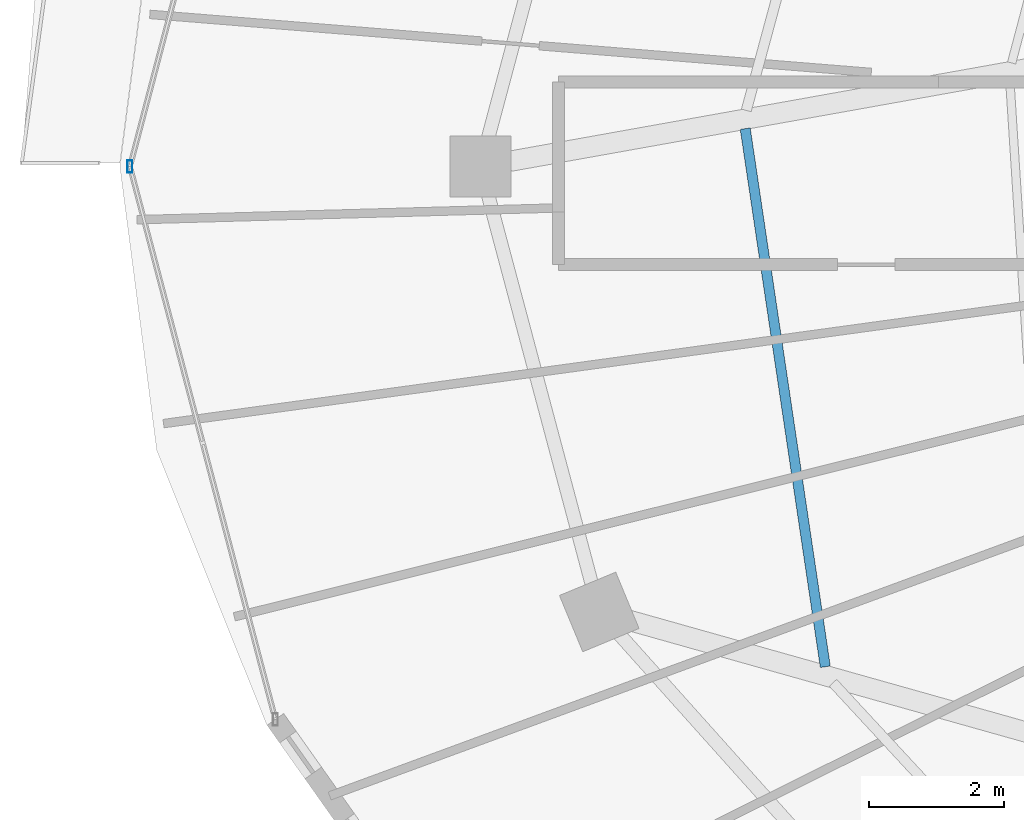
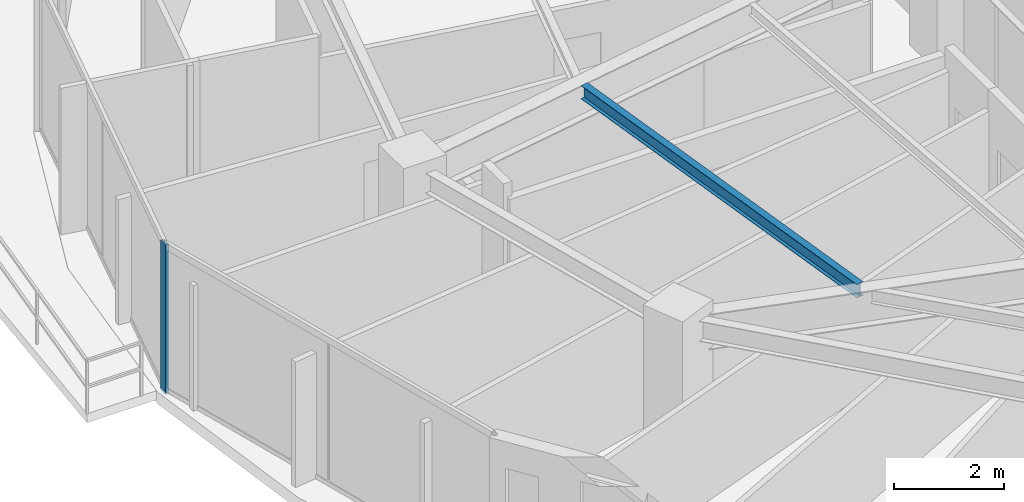
# One storey, part 7 of 33: 1 beam, 1 member, 1 element without a shape of its own.
"""IFC4 building model written with IfcOpenShell, lengths in metres."""

from ifc_helpers import new_model, si_unit, direction, frame, origin, origin_2d, place, context, subcontext, project, spatial, hollow_rectangle, i_section, extrude, material, material_profile, profile_set, type_object, element, aggregate, save


model = new_model("IFC4")

# Units and contexts
model_context = context("Model", 3, precision=1e-05, world=origin(), true_north=direction((0.0, 1.0)))
body_context = subcontext(model_context, "Body", "Model", "MODEL_VIEW")
ifc_project = project(units=[si_unit("LENGTHUNIT", "METRE"), si_unit("AREAUNIT", "SQUARE_METRE"), si_unit("VOLUMEUNIT", "CUBIC_METRE"), si_unit("PLANEANGLEUNIT", "RADIAN"), si_unit("MASSUNIT", "GRAM", prefix="KILO")], contexts=[model_context])

# Site, building, storey
site_placement = place(None, origin())
site = spatial("IfcSite", under=ifc_project, at=site_placement, CompositionType="ELEMENT")
building_placement = place(site_placement, origin())
building = spatial("IfcBuilding", under=site, at=building_placement, Name="Vorneva Point Tower", CompositionType="ELEMENT")
storey_placement = place(building_placement, frame((0.0, 0.0, 196.60009765625)))
storey = spatial("IfcBuildingStorey", under=building, at=storey_placement, Name="L53", CompositionType="ELEMENT", Elevation=196.60009765625)

# Beam
ifc_material_1 = material(Name="Steel S355", Category="steel")
ifc_material_profile_1 = material_profile(ifc_material_1, i_section(OverallWidth=0.14892578125, OverallDepth=0.298095703125, WebThickness=0.005615234375, FlangeThickness=0.008056640625, at=origin_2d()), Name="30B1")
ifc_profile_set_1 = profile_set([ifc_material_profile_1], Name="Steel S355")
beam_type = type_object("IfcBeamType", Name="BM-JST-30B1", PredefinedType="JOIST", material=ifc_profile_set_1)
beam_placement = place(storey_placement, frame((18.86181640625, 26.5595703125, 3.0908203125), z_axis=(0.147176019299, -0.989110317074, 0.0), x_axis=(0.989110317074, 0.147176019299, 0.0)))
element("IfcBeam", 1, at=beam_placement, inside=storey, type_object=beam_type, Name="L53 Secondary Floor Beam 1.09", PredefinedType="JOIST", context=body_context, shape_type="SweptSolid", body=[
    extrude(i_section(OverallWidth=0.14892578125, OverallDepth=0.298095703125, WebThickness=0.005615234375, FlangeThickness=0.008056640625, at=origin_2d()), origin(), (0.0, 0.0, 1.0), 8.038818359375),
])

# Curtain wall, member
ifc_material_2 = material(Name="Pale anodised aluminium", Category="aluminium")
curtain_wall_type = type_object("IfcCurtainWallType", Name="CW-RES-SYS", PredefinedType="NOTDEFINED", material=ifc_material_2)
curtain_wall_placement = place(storey_placement, origin())
curtain_wall = element("IfcCurtainWall", 2, at=curtain_wall_placement, inside=storey, type_object=curtain_wall_type, Name="L53 Unitised Curtain Wall CW-L53-R03", PredefinedType="NOTDEFINED")
ifc_material_profile_2 = material_profile(ifc_material_2, hollow_rectangle(XDim=0.074951171875, YDim=0.179931640625, WallThickness=0.00390625, at=origin_2d()), Name="AL-MUL 180x75x4")
ifc_profile_set_2 = profile_set([ifc_material_profile_2], Name="Pale anodised aluminium")
member_type = type_object("IfcMemberType", Name="CW-MUL-180", PredefinedType="MULLION", material=ifc_profile_set_2)
member_placement = place(storey_placement, frame((9.77001953125, 26.0, -0.0400390625), z_axis=(0.0, 0.0, 1.0), x_axis=(1.0, 0.0, 0.0)))
member = element("IfcMember", 3, at=member_placement, type_object=member_type, Name="CW-L53-R03 Mullion 02", PredefinedType="MULLION", context=body_context, shape_type="SweptSolid", body=[
    extrude(hollow_rectangle(XDim=0.074951171875, YDim=0.179931640625, WallThickness=0.00390625, at=origin_2d()), origin(), (0.0, 0.0, 1.0), 3.31005859375),
])
aggregate(curtain_wall, [member])

save(model, "model.ifc")
